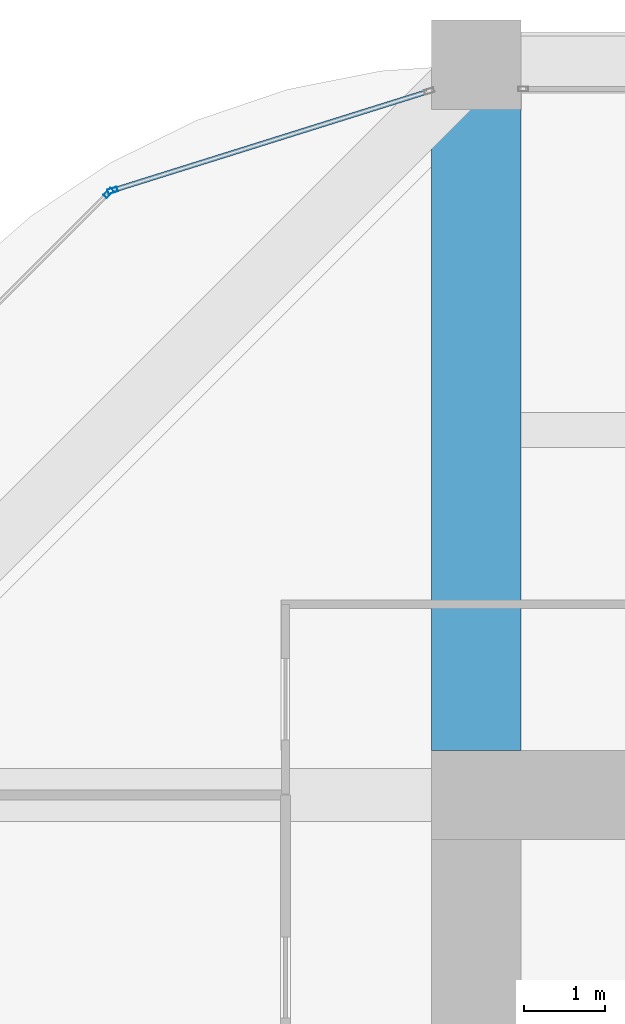
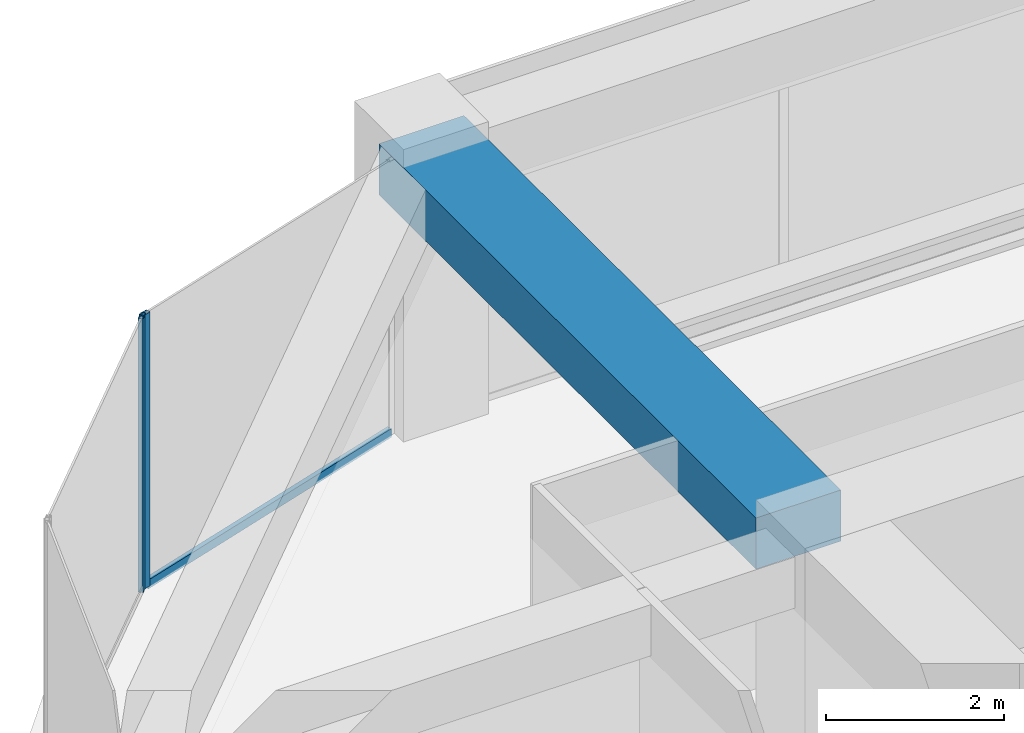
# One storey, part 30 of 44: 3 members, 1 beam, 2 elements without a shape of their own.
"""IFC4 building model written with IfcOpenShell, lengths in metres."""

from ifc_helpers import new_model, si_unit, direction, frame, origin, origin_2d, place, context, subcontext, project, spatial, rectangle, hollow_rectangle, extrude, material, material_profile, profile_set, type_object, element, aggregate, save


model = new_model("IFC4")

# Units and contexts
model_context = context("Model", 3, precision=1e-05, world=origin(), true_north=direction((0.0, 1.0)))
body_context = subcontext(model_context, "Body", "Model", "MODEL_VIEW")
ifc_project = project(units=[si_unit("LENGTHUNIT", "METRE"), si_unit("AREAUNIT", "SQUARE_METRE"), si_unit("VOLUMEUNIT", "CUBIC_METRE"), si_unit("PLANEANGLEUNIT", "RADIAN"), si_unit("MASSUNIT", "GRAM", prefix="KILO")], contexts=[model_context])

# Site, building, storey
site_placement = place(None, origin())
site = spatial("IfcSite", under=ifc_project, at=site_placement, CompositionType="ELEMENT")
building_placement = place(site_placement, origin())
building = spatial("IfcBuilding", under=site, at=building_placement, Name="Zorevar Civic Tower", CompositionType="ELEMENT")
storey_placement = place(building_placement, frame((0.0, 0.0, 259.39990234375)))
storey = spatial("IfcBuildingStorey", under=building, at=storey_placement, Name="L63", CompositionType="ELEMENT", Elevation=259.39990234375)

# Beam
ifc_material_1 = material(Name="Concrete C50/60", Category="concrete")
ifc_material_profile_1 = material_profile(ifc_material_1, rectangle(XDim=1.10009765625, YDim=0.699951171875, at=origin_2d()), Name="RC 1100x700")
ifc_profile_set_1 = profile_set([ifc_material_profile_1], Name="Concrete C50/60")
beam_type = type_object("IfcBeamType", Name="Beam RC 1100x700", PredefinedType="BEAM", material=ifc_profile_set_1)
beam_placement = place(storey_placement, frame((18.0, 36.550048828125, 3.400146484375), z_axis=(0.0, 1.0, 0.0), x_axis=(-1.0, 0.0, 0.0)))
element("IfcBeam", 1, at=beam_placement, inside=storey, type_object=beam_type, Name="Girder L64", PredefinedType="BEAM", context=body_context, shape_type="SweptSolid", body=[
    extrude(rectangle(XDim=1.10009765625, YDim=0.699951171875, at=origin_2d()), origin(), (0.0, 0.0, 1.0), 8.449951171875),
])

# Curtain wall, member
ifc_material_2 = material(Name="Dark grey solar-control glass in black aluminium frame", Category="aluminium")
curtain_wall_type = type_object("IfcCurtainWallType", Name="Curtain wall CW5 top zone", PredefinedType="NOTDEFINED", material=ifc_material_2)
curtain_wall_1_placement = place(storey_placement, origin())
curtain_wall_1 = element("IfcCurtainWall", 2, at=curtain_wall_1_placement, inside=storey, type_object=curtain_wall_type, Name="CW5 L63", PredefinedType="NOTDEFINED")
ifc_material_3 = material(Name="Aluminium, black anodised", Category="aluminium")
ifc_material_profile_2 = material_profile(ifc_material_3, hollow_rectangle(XDim=0.06005859375, YDim=0.1201171875, WallThickness=0.0029296875, at=origin_2d()), Name="AL 120x60x3")
ifc_profile_set_2 = profile_set([ifc_material_profile_2], Name="Aluminium, black anodised")
member_type_1 = type_object("IfcMemberType", Name="CW5 mullion AL 120x60x3", PredefinedType="MULLION", material=ifc_profile_set_2)
member_1_placement = place(storey_placement, frame((13.520751953125, 43.449951171875, 0.0), z_axis=(0.0, 0.0, 1.0), x_axis=(0.299317920238, -0.954153437674, 0.0)))
member_1 = element("IfcMember", 3, at=member_1_placement, type_object=member_type_1, Name="CW5 mullion 2", PredefinedType="MULLION", context=body_context, shape_type="SweptSolid", body=[
    extrude(hollow_rectangle(XDim=0.06005859375, YDim=0.1201171875, WallThickness=0.0029296875, at=origin_2d()), origin(), (0.0, 0.0, 1.0), 3.75),
])

curtain_wall_2_placement = place(storey_placement, origin())
curtain_wall_2 = element("IfcCurtainWall", 4, at=curtain_wall_2_placement, inside=storey, type_object=curtain_wall_type, Name="CW5 L63", PredefinedType="NOTDEFINED")
member_2_placement = place(storey_placement, frame((13.470947265625, 43.419677734375, 0.0), z_axis=(0.0, 0.0, 1.0), x_axis=(0.707106781187, -0.707106781187, 0.0)))
member_2 = element("IfcMember", 5, at=member_2_placement, type_object=member_type_1, Name="CW5 mullion 1", PredefinedType="MULLION", context=body_context, shape_type="SweptSolid", body=[
    extrude(hollow_rectangle(XDim=0.06005859375, YDim=0.1201171875, WallThickness=0.0029296875, at=origin_2d()), origin(), (0.0, 0.0, 1.0), 3.75),
])
aggregate(curtain_wall_2, [member_2])

# Member
ifc_material_4 = material(Name="Aluminium, black anodised", Category="aluminium")
ifc_material_profile_3 = material_profile(ifc_material_4, hollow_rectangle(XDim=0.06005859375, YDim=0.1201171875, WallThickness=0.0029296875, at=origin_2d()), Name="AL 120x60x3")
ifc_profile_set_3 = profile_set([ifc_material_profile_3], Name="Aluminium, black anodised")
member_type_2 = type_object("IfcMemberType", Name="CW5 transom AL 120x60x3", PredefinedType="USERDEFINED", material=ifc_profile_set_3)
member_3_placement = place(storey_placement, frame((17.392822265625, 44.66455078125, 0.030029296875), z_axis=(-0.954163457351, -0.299285978047, 0.0), x_axis=(0.299285978047, -0.954163457351, 0.0)))
member_3 = element("IfcMember", 6, at=member_3_placement, type_object=member_type_2, Name="CW5 sill transom", ObjectType="TRANSOM", PredefinedType="USERDEFINED", context=body_context, shape_type="SweptSolid", body=[
    extrude(hollow_rectangle(XDim=0.06005859375, YDim=0.1201171875, WallThickness=0.0029296875, at=origin_2d()), origin(), (0.0, 0.0, 1.0), 4.028076171875),
])

aggregate(curtain_wall_1, [member_1, member_3])

save(model, "model.ifc")
